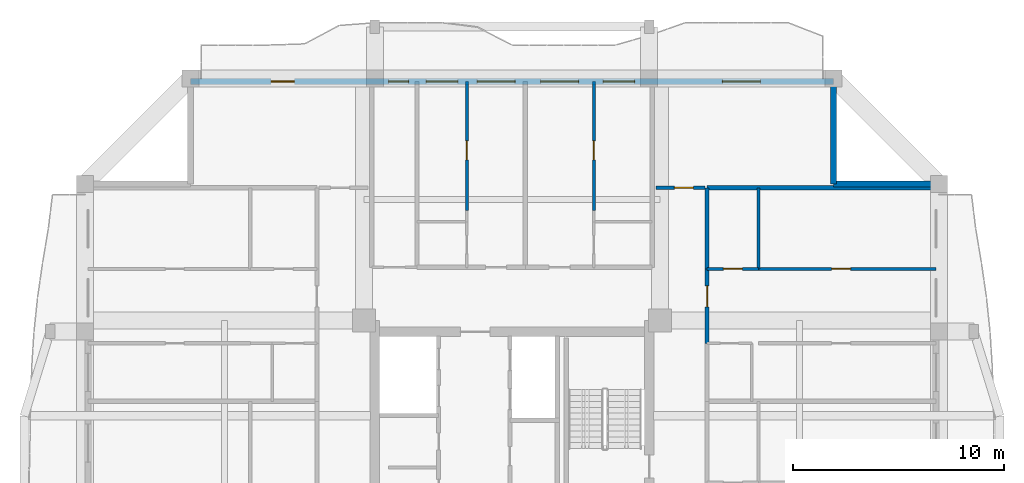
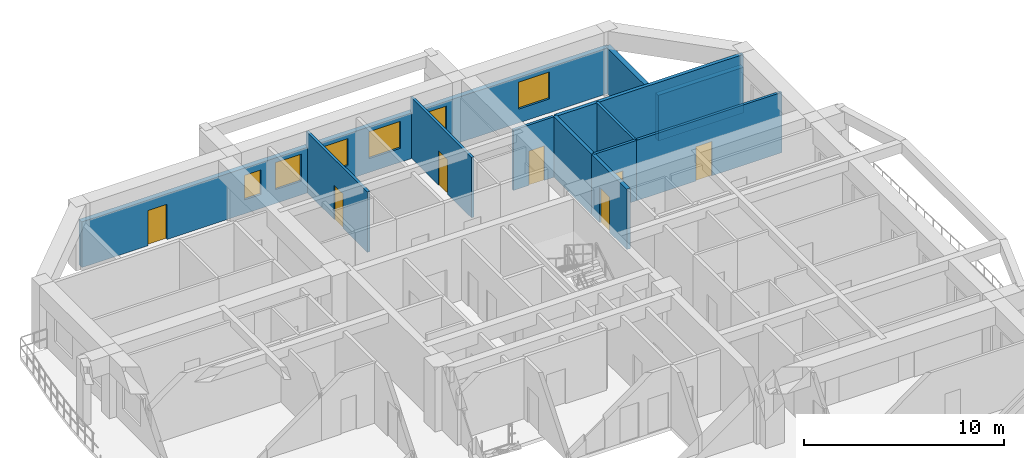
# One storey, part 7 of 14: 12 walls, 7 doors, 6 windows, 13 openings.
"""IFC4 building model written with IfcOpenShell, lengths in metres."""

from ifc_helpers import new_model, si_unit, direction, frame, frame_2d, origin, place, context, subcontext, project, spatial, rectangle, extrude, source, transform, mapped, material, layer, layer_set, type_object, element, fill, save


model = new_model("IFC4")

# Units and contexts
model_context = context("Model", 3, precision=1e-05, world=origin(), true_north=direction((0.0, 1.0)))
body_context = subcontext(model_context, "Body", "Model", "MODEL_VIEW")
ifc_project = project(units=[si_unit("LENGTHUNIT", "METRE"), si_unit("AREAUNIT", "SQUARE_METRE"), si_unit("VOLUMEUNIT", "CUBIC_METRE"), si_unit("PLANEANGLEUNIT", "RADIAN"), si_unit("MASSUNIT", "GRAM", prefix="KILO")], contexts=[model_context])

# Site, building, storey
site_placement = place(None, origin())
site = spatial("IfcSite", under=ifc_project, at=site_placement, CompositionType="ELEMENT")
building_placement = place(site_placement, origin())
building = spatial("IfcBuilding", under=site, at=building_placement, Name="Saelheon Loggia Tower", CompositionType="ELEMENT")
storey_placement = place(building_placement, frame((0.0, 0.0, 182.800048828125)))
storey = spatial("IfcBuildingStorey", under=building, at=storey_placement, Name="L57", CompositionType="ELEMENT", Elevation=182.800048828125)

# Wall, openings, windows, door
ifc_material_1 = material(Name="Architectural Precast Concrete C40/50", Category="concrete")
ifc_layer_1 = layer(ifc_material_1, 0.280029296875)
ifc_layer_set_1 = layer_set([ifc_layer_1], Name="Architectural Precast Concrete C40/50")
wall_type_1 = type_object("IfcWallType", Name="Wall_Ext_Loggia_280", PredefinedType="SOLIDWALL", material=ifc_layer_set_1)
wall_1_placement = place(storey_placement, frame((22.75, 47.860107421875, 0.0), z_axis=(0.0, 0.0, 1.0), x_axis=(1.0, 0.0, 0.0)))
wall_1 = element("IfcWall", 1, at=wall_1_placement, inside=storey, type_object=wall_type_1, Name="L57 North Loggia Inner Wall", PredefinedType="SOLIDWALL", context=body_context, shape_type="SweptSolid", body=[
    extrude(rectangle(XDim=30.5, YDim=0.280029296875, at=frame_2d((15.25, 0.0))), origin(), (0.0, 0.0, 1.0), 2.7900390625),
])
opening_1_placement = place(wall_1_placement, frame((3.824951171875, 0.0, 0.0)))
opening_1 = element("IfcOpeningElement", 2, at=opening_1_placement, cuts=wall_1, Name="Opening TD1", PredefinedType="OPENING", context=body_context, shape_type="SweptSolid", body=[
    extrude(rectangle(XDim=1.10009765625, YDim=2.14990234375, at=frame_2d((0.550048828125, 1.074951171875))), frame((0.0, 0.152099609375, 0.0), z_axis=(0.0, -1.0, 0.0), x_axis=(1.0, 0.0, 0.0)), (0.0, 0.0, 1.0), 0.303955078125),
])
opening_2_placement = place(wall_1_placement, frame((9.39501953125, 0.0, 0.85009765625)))
opening_2 = element("IfcOpeningElement", 3, at=opening_2_placement, cuts=wall_1, Name="Opening WN-04", PredefinedType="OPENING", context=body_context, shape_type="SweptSolid", body=[
    extrude(rectangle(XDim=0.949951171875, YDim=1.5, at=frame_2d((0.47509765625, 0.75))), frame((0.0, 0.152099609375, 0.0), z_axis=(0.0, -1.0, 0.0), x_axis=(1.0, 0.0, 0.0)), (0.0, 0.0, 1.0), 0.303955078125),
])
opening_3_placement = place(wall_1_placement, frame((11.1796875, 0.0, 0.85009765625)))
opening_3 = element("IfcOpeningElement", 4, at=opening_3_placement, cuts=wall_1, Name="Opening WN-02", PredefinedType="OPENING", context=body_context, shape_type="SweptSolid", body=[
    extrude(rectangle(XDim=1.5, YDim=1.64990234375, at=frame_2d((0.75, 0.824951171875))), frame((0.0, 0.152099609375, 0.0), z_axis=(0.0, -1.0, 0.0), x_axis=(1.0, 0.0, 0.0)), (0.0, 0.0, 1.0), 0.303955078125),
])
opening_4_placement = place(wall_1_placement, frame((13.593994140625, 0.0, 0.85009765625)))
opening_4 = element("IfcOpeningElement", 5, at=opening_4_placement, cuts=wall_1, Name="Opening WN-01", PredefinedType="OPENING", context=body_context, shape_type="SweptSolid", body=[
    extrude(rectangle(XDim=1.800048828125, YDim=1.64990234375, at=frame_2d((0.89990234375, 0.824951171875))), frame((0.0, 0.152099609375, 0.0), z_axis=(0.0, -1.0, 0.0), x_axis=(1.0, 0.0, 0.0)), (0.0, 0.0, 1.0), 0.303955078125),
])
opening_5_placement = place(wall_1_placement, frame((16.6044921875, 0.0, 0.85009765625)))
opening_5 = element("IfcOpeningElement", 6, at=opening_5_placement, cuts=wall_1, Name="Opening WN-01", PredefinedType="OPENING", context=body_context, shape_type="SweptSolid", body=[
    extrude(rectangle(XDim=1.800048828125, YDim=1.64990234375, at=frame_2d((0.89990234375, 0.824951171875))), frame((0.0, 0.152099609375, 0.0), z_axis=(0.0, -1.0, 0.0), x_axis=(1.0, 0.0, 0.0)), (0.0, 0.0, 1.0), 0.303955078125),
])
opening_6_placement = place(wall_1_placement, frame((19.570068359375, 0.0, 0.85009765625)))
opening_6 = element("IfcOpeningElement", 7, at=opening_6_placement, cuts=wall_1, Name="Opening WN-02", PredefinedType="OPENING", context=body_context, shape_type="SweptSolid", body=[
    extrude(rectangle(XDim=1.5, YDim=1.64990234375, at=frame_2d((0.75, 0.824951171875))), frame((0.0, 0.152099609375, 0.0), z_axis=(0.0, -1.0, 0.0), x_axis=(1.0, 0.0, 0.0)), (0.0, 0.0, 1.0), 0.303955078125),
])
opening_7_placement = place(wall_1_placement, frame((25.22509765625, 0.0, 0.85009765625)))
opening_7 = element("IfcOpeningElement", 8, at=opening_7_placement, cuts=wall_1, Name="Opening WN-01", PredefinedType="OPENING", context=body_context, shape_type="SweptSolid", body=[
    extrude(rectangle(XDim=1.800048828125, YDim=1.64990234375, at=frame_2d((0.89990234375, 0.824951171875))), frame((0.0, 0.152099609375, 0.0), z_axis=(0.0, -1.0, 0.0), x_axis=(1.0, 0.0, 0.0)), (0.0, 0.0, 1.0), 0.303955078125),
])
ifc_material_2 = material(Name="Thermal-Break Aluminium and Triple Low-E Glass", Category="aluminium")
window_type_1 = type_object("IfcWindowType", Name="Win_Dwelling_1800x1650", PartitioningType="SINGLE_PANEL", PredefinedType="WINDOW", material=ifc_material_2)
shared_shape_1 = source(origin(), body_context, "Body", "SweptSolid", [
    extrude(rectangle(XDim=1.800048828125, YDim=1.64990234375, at=frame_2d((0.89990234375, 0.824951171875))), frame((0.0, 0.030029296875, 0.0), z_axis=(0.0, -1.0, 0.0), x_axis=(1.0, 0.0, 0.0)), (0.0, 0.0, 1.0), 0.06005859375),
])
window_1_placement = place(opening_4_placement, origin())
window_1 = element("IfcWindow", 9, at=window_1_placement, inside=storey, type_object=window_type_1, Name="L57 N Dwelling Window 4", OverallHeight=1.64990234375, OverallWidth=1.800048828125, PartitioningType="SINGLE_PANEL", PredefinedType="WINDOW", context=body_context, shape_type="MappedRepresentation", body=[
    mapped(shared_shape_1, transform((0.0, 0.0, 0.0), scale=1.0)),
])
fill(opening_4, window_1)
window_2_placement = place(opening_5_placement, origin())
window_2 = element("IfcWindow", 10, at=window_2_placement, inside=storey, type_object=window_type_1, Name="L57 N Dwelling Window 5", OverallHeight=1.64990234375, OverallWidth=1.800048828125, PartitioningType="SINGLE_PANEL", PredefinedType="WINDOW", context=body_context, shape_type="MappedRepresentation", body=[
    mapped(shared_shape_1, transform((0.0, 0.0, 0.0), scale=1.0)),
])
fill(opening_5, window_2)
window_3_placement = place(opening_7_placement, origin())
window_3 = element("IfcWindow", 11, at=window_3_placement, inside=storey, type_object=window_type_1, Name="L57 N Dwelling Window 7", OverallHeight=1.64990234375, OverallWidth=1.800048828125, PartitioningType="SINGLE_PANEL", PredefinedType="WINDOW", context=body_context, shape_type="MappedRepresentation", body=[
    mapped(shared_shape_1, transform((0.0, 0.0, 0.0), scale=1.0)),
])
fill(opening_7, window_3)
ifc_material_3 = material(Name="Thermal-Break Aluminium Glazed Door", Category="aluminium")
door_type_1 = type_object("IfcDoorType", Name="Door_Terrace_TD1", OperationType="NOTDEFINED", PredefinedType="DOOR", material=ifc_material_3)
shared_shape_2 = source(origin(), body_context, "Body", "SweptSolid", [
    extrude(rectangle(XDim=1.10009765625, YDim=2.14990234375, at=frame_2d((0.550048828125, 1.074951171875))), frame((0.0, 0.02490234375, 0.0), z_axis=(0.0, -1.0, 0.0), x_axis=(1.0, 0.0, 0.0)), (0.0, 0.0, 1.0), 0.050048828125),
])
door_1_placement = place(opening_1_placement, origin())
door_1 = element("IfcDoor", 12, at=door_1_placement, inside=storey, type_object=door_type_1, Name="L57 N Loggia Access Door", OperationType="SINGLE_SWING_LEFT", OverallHeight=2.14990234375, OverallWidth=1.10009765625, PredefinedType="DOOR", context=body_context, shape_type="MappedRepresentation", body=[
    mapped(shared_shape_2, transform((0.0, 0.0, 0.0), scale=1.0)),
])
fill(opening_1, door_1)
window_type_2 = type_object("IfcWindowType", Name="Win_Narrow_950x1500", PartitioningType="SINGLE_PANEL", PredefinedType="WINDOW", material=ifc_material_2)
shared_shape_3 = source(origin(), body_context, "Body", "SweptSolid", [
    extrude(rectangle(XDim=0.949951171875, YDim=1.5, at=frame_2d((0.47509765625, 0.75))), frame((0.0, 0.030029296875, 0.0), z_axis=(0.0, -1.0, 0.0), x_axis=(1.0, 0.0, 0.0)), (0.0, 0.0, 1.0), 0.06005859375),
])
window_4_placement = place(opening_2_placement, origin())
window_4 = element("IfcWindow", 13, at=window_4_placement, inside=storey, type_object=window_type_2, Name="L57 N Dwelling Window 2", OverallHeight=1.5, OverallWidth=0.949951171875, PartitioningType="SINGLE_PANEL", PredefinedType="WINDOW", context=body_context, shape_type="MappedRepresentation", body=[
    mapped(shared_shape_3, transform((0.0, 0.0, 0.0), scale=1.0)),
])
fill(opening_2, window_4)
window_type_3 = type_object("IfcWindowType", Name="Win_Dwelling_1500x1650", PartitioningType="SINGLE_PANEL", PredefinedType="WINDOW", material=ifc_material_2)
shared_shape_4 = source(origin(), body_context, "Body", "SweptSolid", [
    extrude(rectangle(XDim=1.5, YDim=1.64990234375, at=frame_2d((0.75, 0.824951171875))), frame((0.0, 0.030029296875, 0.0), z_axis=(0.0, -1.0, 0.0), x_axis=(1.0, 0.0, 0.0)), (0.0, 0.0, 1.0), 0.06005859375),
])
window_5_placement = place(opening_3_placement, origin())
window_5 = element("IfcWindow", 14, at=window_5_placement, inside=storey, type_object=window_type_3, Name="L57 N Dwelling Window 3", OverallHeight=1.64990234375, OverallWidth=1.5, PartitioningType="SINGLE_PANEL", PredefinedType="WINDOW", context=body_context, shape_type="MappedRepresentation", body=[
    mapped(shared_shape_4, transform((0.0, 0.0, 0.0), scale=1.0)),
])
fill(opening_3, window_5)
window_6_placement = place(opening_6_placement, origin())
window_6 = element("IfcWindow", 15, at=window_6_placement, inside=storey, type_object=window_type_3, Name="L57 N Dwelling Window 6", OverallHeight=1.64990234375, OverallWidth=1.5, PartitioningType="SINGLE_PANEL", PredefinedType="WINDOW", context=body_context, shape_type="MappedRepresentation", body=[
    mapped(shared_shape_4, transform((0.0, 0.0, 0.0), scale=1.0)),
])
fill(opening_6, window_6)

# Walls
for number, where, z_axis, x_axis, name in (
    (16, (53.25, 43.0, 0.0), (0.0, 0.0, 1.0), (0.0, 1.0, 0.0), "L57 Corner Notch Precast Wall NE1"),
    (17, (53.25, 43.0, 0.0), (0.0, 0.0, 1.0), (1.0, 0.0, 0.0), "L57 Corner Notch Precast Wall NE2"),
):
    element("IfcWall", number, at=place(storey_placement, frame(where, z_axis=z_axis, x_axis=x_axis)), inside=storey, type_object=wall_type_1, Name=name, PredefinedType="SOLIDWALL", context=body_context, shape_type="SweptSolid", body=[
        extrude(rectangle(XDim=4.919921875, YDim=0.280029296875, at=frame_2d((2.4599609375, 0.0))), origin(), (0.0, 0.0, 1.0), 2.7900390625),
    ])

# Wall, opening, door
ifc_material_4 = material(Name="Lightweight Autoclaved Aerated Concrete Block and Acoustic Gypsum", Category="concrete")
ifc_layer_2 = layer(ifc_material_4, 0.14990234375)
ifc_layer_set_2 = layer_set([ifc_layer_2], Name="Lightweight Autoclaved Aerated Concrete Block and Acoustic Gypsum")
wall_type_2 = type_object("IfcWallType", Name="Wall_Part_150", PredefinedType="PARTITIONING", material=ifc_layer_set_2)
wall_2_placement = place(storey_placement, frame((44.820068359375, 42.820068359375, 0.0), z_axis=(0.0, 0.0, 1.0), x_axis=(1.0, 0.0, 0.0)))
wall_2 = element("IfcWall", 18, at=wall_2_placement, inside=storey, type_object=wall_type_2, Name="PW-L57-CNE-H", PredefinedType="PARTITIONING", context=body_context, shape_type="SweptSolid", body=[
    extrude(rectangle(XDim=2.329833984375, YDim=0.14990234375, at=frame_2d((1.1650390625, 0.0))), origin(), (0.0, 0.0, 1.0), 3.68994140625),
])
opening_8_placement = place(wall_2_placement, frame((0.8798828125, 0.0, 0.0)))
opening_8 = element("IfcOpeningElement", 19, at=opening_8_placement, cuts=wall_2, Name="Opening D-IN2", PredefinedType="OPENING", context=body_context, shape_type="SweptSolid", body=[
    extrude(rectangle(XDim=0.89990234375, YDim=2.10009765625, at=frame_2d((0.449951171875, 1.050048828125))), frame((0.0, 0.0869140625, 0.0), z_axis=(0.0, -1.0, 0.0), x_axis=(1.0, 0.0, 0.0)), (0.0, 0.0, 1.0), 0.173828125),
])
ifc_material_5 = material(Name="Engineered Oak Flush Door", Category="timber")
door_type_2 = type_object("IfcDoorType", Name="Door_Int_900", OperationType="NOTDEFINED", PredefinedType="DOOR", material=ifc_material_5)
shared_shape_5 = source(origin(), body_context, "Body", "SweptSolid", [
    extrude(rectangle(XDim=0.89990234375, YDim=2.10009765625, at=frame_2d((0.449951171875, 1.050048828125))), frame((0.0, 0.02490234375, 0.0), z_axis=(0.0, -1.0, 0.0), x_axis=(1.0, 0.0, 0.0)), (0.0, 0.0, 1.0), 0.050048828125),
])
door_2_placement = place(opening_8_placement, origin())
door_2 = element("IfcDoor", 20, at=door_2_placement, inside=storey, type_object=door_type_2, Name="L57 Corner Reading Room NE Door", OperationType="SINGLE_SWING_RIGHT", OverallHeight=2.10009765625, OverallWidth=0.89990234375, PredefinedType="DOOR", context=body_context, shape_type="MappedRepresentation", body=[
    mapped(shared_shape_5, transform((0.0, 0.0, 0.0), scale=1.0)),
])
fill(opening_8, door_2)

wall_3_placement = place(storey_placement, frame((35.859375, 41.72998046875, 0.0), z_axis=(0.0, 0.0, 1.0), x_axis=(0.0, 1.0, 0.0)))
wall_3 = element("IfcWall", 21, at=wall_3_placement, inside=storey, type_object=wall_type_2, Name="L57 N Partition U10", PredefinedType="PARTITIONING", context=body_context, shape_type="SweptSolid", body=[
    extrude(rectangle(XDim=6.1201171875, YDim=0.14990234375, at=frame_2d((3.06005859375, 0.0))), origin(), (0.0, 0.0, 1.0), 3.68994140625),
])
opening_9_placement = place(wall_3_placement, frame((2.41259765625, 0.0, 0.0)))
opening_9 = element("IfcOpeningElement", 22, at=opening_9_placement, cuts=wall_3, Name="Opening D-IN2", PredefinedType="OPENING", context=body_context, shape_type="SweptSolid", body=[
    extrude(rectangle(XDim=0.89990234375, YDim=2.10009765625, at=frame_2d((0.449951171875, 1.050048828125))), frame((0.0, 0.0869140625, 0.0), z_axis=(0.0, -1.0, 0.0), x_axis=(1.0, 0.0, 0.0)), (0.0, 0.0, 1.0), 0.173828125),
])
door_3_placement = place(opening_9_placement, origin())
door_3 = element("IfcDoor", 23, at=door_3_placement, inside=storey, type_object=door_type_2, Name="Unit U03 Kitchen Door", OperationType="SINGLE_SWING_RIGHT", OverallHeight=2.10009765625, OverallWidth=0.89990234375, PredefinedType="DOOR", context=body_context, shape_type="MappedRepresentation", body=[
    mapped(shared_shape_5, transform((0.0, 0.0, 0.0), scale=1.0)),
])
fill(opening_9, door_3)

wall_4_placement = place(storey_placement, frame((41.88037109375, 41.72998046875, 0.0), z_axis=(0.0, 0.0, 1.0), x_axis=(0.0, 1.0, 0.0)))
wall_4 = element("IfcWall", 24, at=wall_4_placement, inside=storey, type_object=wall_type_2, Name="L57 N Partition U17", PredefinedType="PARTITIONING", context=body_context, shape_type="SweptSolid", body=[
    extrude(rectangle(XDim=6.1201171875, YDim=0.14990234375, at=frame_2d((3.06005859375, 0.0))), origin(), (0.0, 0.0, 1.0), 3.68994140625),
])
opening_10_placement = place(wall_4_placement, frame((2.41259765625, 0.0, 0.0)))
opening_10 = element("IfcOpeningElement", 25, at=opening_10_placement, cuts=wall_4, Name="Opening D-IN2", PredefinedType="OPENING", context=body_context, shape_type="SweptSolid", body=[
    extrude(rectangle(XDim=0.89990234375, YDim=2.10009765625, at=frame_2d((0.449951171875, 1.050048828125))), frame((0.0, 0.0869140625, 0.0), z_axis=(0.0, -1.0, 0.0), x_axis=(1.0, 0.0, 0.0)), (0.0, 0.0, 1.0), 0.173828125),
])
door_4_placement = place(opening_10_placement, origin())
door_4 = element("IfcDoor", 26, at=door_4_placement, inside=storey, type_object=door_type_2, Name="Unit U04 Kitchen Door", OperationType="SINGLE_SWING_LEFT", OverallHeight=2.10009765625, OverallWidth=0.89990234375, PredefinedType="DOOR", context=body_context, shape_type="MappedRepresentation", body=[
    mapped(shared_shape_5, transform((0.0, 0.0, 0.0), scale=1.0)),
])
fill(opening_10, door_4)

# Wall
wall_5_placement = place(storey_placement, frame((49.68994140625, 38.97265625, 0.0), z_axis=(0.0, 0.0, 1.0), x_axis=(0.0, 1.0, 0.0)))
element("IfcWall", 27, at=wall_5_placement, inside=storey, type_object=wall_type_2, Name="L57 E Partition V27", PredefinedType="PARTITIONING", context=body_context, shape_type="SweptSolid", body=[
    extrude(rectangle(XDim=3.847412109375, YDim=0.14990234375, at=frame_2d((1.923828125, 0.0))), origin(), (0.0, 0.0, 1.0), 3.68994140625),
])

# Wall, opening, door
wall_6_placement = place(storey_placement, frame((47.25, 38.97265625, 0.0), z_axis=(0.0, 0.0, 1.0), x_axis=(1.0, 0.0, 0.0)))
wall_6 = element("IfcWall", 28, at=wall_6_placement, inside=storey, type_object=wall_type_2, Name="L57 E Partition U30", PredefinedType="PARTITIONING", context=body_context, shape_type="SweptSolid", body=[
    extrude(rectangle(XDim=2.43994140625, YDim=0.14990234375, at=frame_2d((1.219970703125, 0.0))), origin(), (0.0, 0.0, 1.0), 3.68994140625),
])
opening_11_placement = place(wall_6_placement, frame((0.77001953125, 0.0, 0.0)))
opening_11 = element("IfcOpeningElement", 29, at=opening_11_placement, cuts=wall_6, Name="Opening D-IN2", PredefinedType="OPENING", context=body_context, shape_type="SweptSolid", body=[
    extrude(rectangle(XDim=0.89990234375, YDim=2.10009765625, at=frame_2d((0.449951171875, 1.050048828125))), frame((0.0, 0.0869140625, 0.0), z_axis=(0.0, -1.0, 0.0), x_axis=(1.0, 0.0, 0.0)), (0.0, 0.0, 1.0), 0.173828125),
])
door_5_placement = place(opening_11_placement, origin())
door_5 = element("IfcDoor", 30, at=door_5_placement, inside=storey, type_object=door_type_2, Name="Unit U10 Dressing Closet Door", OperationType="SINGLE_SWING_RIGHT", OverallHeight=2.10009765625, OverallWidth=0.89990234375, PredefinedType="DOOR", context=body_context, shape_type="MappedRepresentation", body=[
    mapped(shared_shape_5, transform((0.0, 0.0, 0.0), scale=1.0)),
])
fill(opening_11, door_5)

wall_7_placement = place(storey_placement, frame((49.68994140625, 38.97265625, 0.0), z_axis=(0.0, 0.0, 1.0), x_axis=(1.0, 0.0, 0.0)))
wall_7 = element("IfcWall", 31, at=wall_7_placement, inside=storey, type_object=wall_type_2, Name="L57 E Partition U31", PredefinedType="PARTITIONING", context=body_context, shape_type="SweptSolid", body=[
    extrude(rectangle(XDim=8.41015625, YDim=0.14990234375, at=frame_2d((4.205078125, 0.0))), origin(), (0.0, 0.0, 1.0), 3.68994140625),
])
opening_12_placement = place(wall_7_placement, frame((3.462158203125, 0.0, 0.0)))
opening_12 = element("IfcOpeningElement", 32, at=opening_12_placement, cuts=wall_7, Name="Opening D-IN2", PredefinedType="OPENING", context=body_context, shape_type="SweptSolid", body=[
    extrude(rectangle(XDim=0.89990234375, YDim=2.10009765625, at=frame_2d((0.449951171875, 1.050048828125))), frame((0.0, 0.0869140625, 0.0), z_axis=(0.0, -1.0, 0.0), x_axis=(1.0, 0.0, 0.0)), (0.0, 0.0, 1.0), 0.173828125),
])
door_6_placement = place(opening_12_placement, origin())
door_6 = element("IfcDoor", 33, at=door_6_placement, inside=storey, type_object=door_type_2, Name="Unit U10 Bedroom 1 Door", OperationType="SINGLE_SWING_LEFT", OverallHeight=2.10009765625, OverallWidth=0.89990234375, PredefinedType="DOOR", context=body_context, shape_type="MappedRepresentation", body=[
    mapped(shared_shape_5, transform((0.0, 0.0, 0.0), scale=1.0)),
])
fill(opening_12, door_6)

# Wall
ifc_material_6 = material(Name="Double Acoustic Stud and Fireboard Partition", Category="gypsum")
ifc_layer_3 = layer(ifc_material_6, 0.199951171875)
ifc_layer_set_3 = layer_set([ifc_layer_3], Name="Double Acoustic Stud and Fireboard Partition")
wall_type_3 = type_object("IfcWallType", Name="Wall_Party_200", PredefinedType="PARTITIONING", material=ifc_layer_set_3)
wall_8_placement = place(storey_placement, frame((47.25, 42.820068359375, 0.0), z_axis=(0.0, 0.0, 1.0), x_axis=(1.0, 0.0, 0.0)))
element("IfcWall", 34, at=wall_8_placement, inside=storey, type_object=wall_type_3, Name="L57 E Partition U02", PredefinedType="PARTITIONING", context=body_context, shape_type="SweptSolid", body=[
    extrude(rectangle(XDim=10.85009765625, YDim=0.199951171875, at=frame_2d((5.425048828125, 0.0))), origin(), (0.0, 0.0, 1.0), 3.68994140625),
])

# Wall, opening, door
wall_9_placement = place(storey_placement, frame((47.25, 35.4453125, 0.0), z_axis=(0.0, 0.0, 1.0), x_axis=(0.0, 1.0, 0.0)))
wall_9 = element("IfcWall", 35, at=wall_9_placement, inside=storey, type_object=wall_type_3, Name="L57 E Partition V24", PredefinedType="PARTITIONING", context=body_context, shape_type="SweptSolid", body=[
    extrude(rectangle(XDim=3.52734375, YDim=0.199951171875, at=frame_2d((1.763671875, 0.0))), origin(), (0.0, 0.0, 1.0), 3.68994140625),
])
opening_13_placement = place(wall_9_placement, frame((1.7236328125, 0.0, 0.0)))
opening_13 = element("IfcOpeningElement", 36, at=opening_13_placement, cuts=wall_9, Name="Opening D-FD1", PredefinedType="OPENING", context=body_context, shape_type="SweptSolid", body=[
    extrude(rectangle(XDim=1.0, YDim=2.14990234375, at=frame_2d((0.5, 1.074951171875))), frame((0.0, 0.112060546875, 0.0), z_axis=(0.0, -1.0, 0.0), x_axis=(1.0, 0.0, 0.0)), (0.0, 0.0, 1.0), 0.223876953125),
])
ifc_material_7 = material(Name="Fire-Rated Engineered Timber Entrance Door", Category="wood")
door_type_3 = type_object("IfcDoorType", Name="Door_Flat_FD30S", OperationType="NOTDEFINED", PredefinedType="DOOR", material=ifc_material_7)
shared_shape_6 = source(origin(), body_context, "Body", "SweptSolid", [
    extrude(rectangle(XDim=1.0, YDim=2.14990234375, at=frame_2d((0.5, 1.074951171875))), frame((0.0, 0.02490234375, 0.0), z_axis=(0.0, -1.0, 0.0), x_axis=(1.0, 0.0, 0.0)), (0.0, 0.0, 1.0), 0.050048828125),
])
door_7_placement = place(opening_13_placement, origin())
door_7 = element("IfcDoor", 37, at=door_7_placement, inside=storey, type_object=door_type_3, Name="Unit U10 Entrance Door", OperationType="SINGLE_SWING_LEFT", OverallHeight=2.14990234375, OverallWidth=1.0, PredefinedType="DOOR", context=body_context, shape_type="MappedRepresentation", body=[
    mapped(shared_shape_6, transform((0.0, 0.0, 0.0), scale=1.0)),
])
fill(opening_13, door_7)

# Wall
wall_10_placement = place(storey_placement, frame((47.25, 38.97265625, 0.0), z_axis=(0.0, 0.0, 1.0), x_axis=(0.0, 1.0, 0.0)))
element("IfcWall", 38, at=wall_10_placement, inside=storey, type_object=wall_type_3, Name="L57 E Partition V25", PredefinedType="PARTITIONING", context=body_context, shape_type="SweptSolid", body=[
    extrude(rectangle(XDim=3.847412109375, YDim=0.199951171875, at=frame_2d((1.923828125, 0.0))), origin(), (0.0, 0.0, 1.0), 3.68994140625),
])

save(model, "model.ifc")
